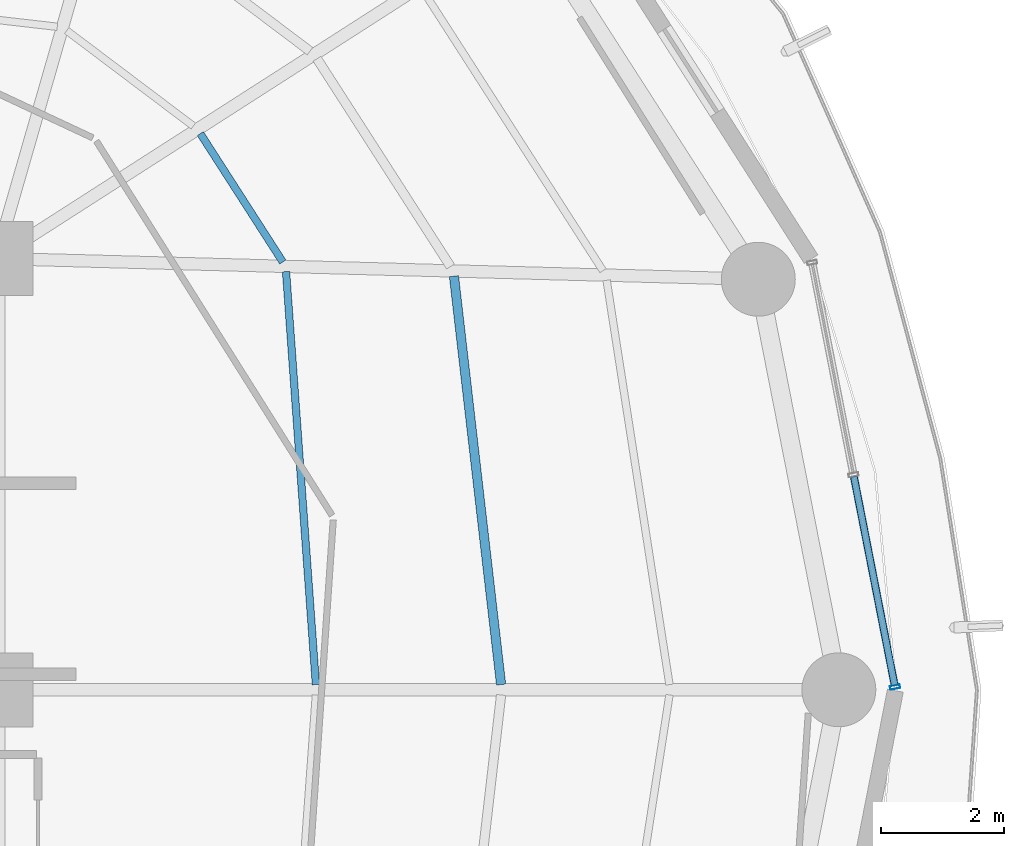
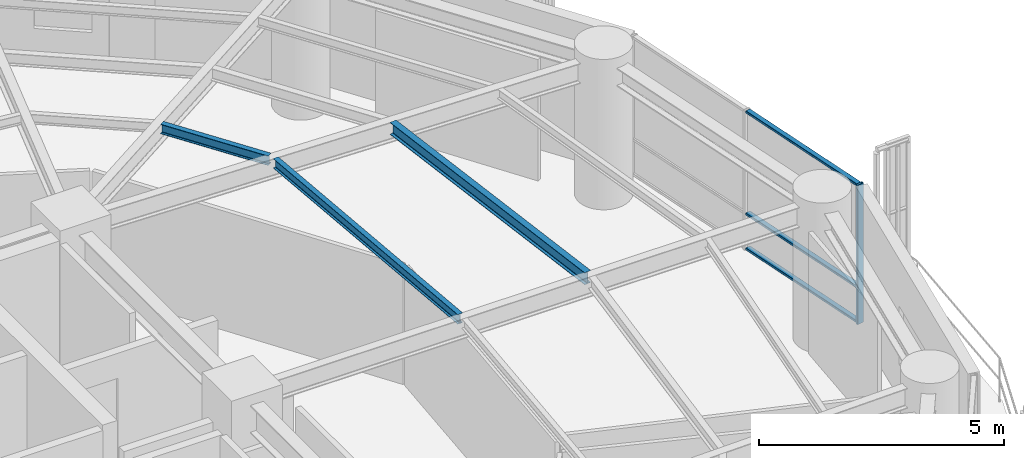
# One storey, part 13 of 28: 4 members, 3 beams, 1 element without a shape of its own.
"""IFC4 building model written with IfcOpenShell, lengths in metres."""

from ifc_helpers import new_model, si_unit, direction, frame, origin, origin_2d, place, context, subcontext, project, spatial, hollow_rectangle, i_section, extrude, material, layer, layer_set, material_profile, profile_set, type_object, element, aggregate, save


model = new_model("IFC4")

# Units and contexts
model_context = context("Model", 3, precision=1e-05, world=origin(), true_north=direction((0.0, 1.0)))
body_context = subcontext(model_context, "Body", "Model", "MODEL_VIEW")
ifc_project = project(units=[si_unit("LENGTHUNIT", "METRE"), si_unit("AREAUNIT", "SQUARE_METRE"), si_unit("VOLUMEUNIT", "CUBIC_METRE"), si_unit("PLANEANGLEUNIT", "RADIAN"), si_unit("MASSUNIT", "GRAM", prefix="KILO")], contexts=[model_context])

# Site, building, storey
site_placement = place(None, origin())
site = spatial("IfcSite", under=ifc_project, at=site_placement, CompositionType="ELEMENT")
building_placement = place(site_placement, origin())
building = spatial("IfcBuilding", under=site, at=building_placement, Name="Kelanora Arch Commons", CompositionType="ELEMENT")
storey_placement = place(building_placement, frame((0.0, 0.0, 180.60009765625)))
storey = spatial("IfcBuildingStorey", under=building, at=storey_placement, Name="L46", CompositionType="ELEMENT", Elevation=180.60009765625)

# Beams
ifc_material_1 = material(Name="Steel S355", Category="steel")
ifc_material_profile_1 = material_profile(ifc_material_1, i_section(OverallWidth=0.14990234375, OverallDepth=0.300048828125, WebThickness=0.007080078125, FlangeThickness=0.0107421875, FilletRadius=0.014892578125, at=origin_2d()), Name="IPE300")
ifc_profile_set_1 = profile_set([ifc_material_profile_1], Name="Steel S355")
beam_type_1 = type_object("IfcBeamType", Name="BM-JST-01", PredefinedType="JOIST", material=ifc_profile_set_1)
beam_1_placement = place(storey_placement, frame((90.1982421875, 58.08447265625, 3.33984375), z_axis=(-0.114667159005, 0.9934039675, 0.0), x_axis=(-0.9934039675, -0.114667159005, 0.0)))
element("IfcBeam", 1, at=beam_1_placement, inside=storey, type_object=beam_type_1, Name="Secondary Chord Joist BJB-00 L46", PredefinedType="JOIST", context=body_context, shape_type="SweptSolid", body=[
    extrude(i_section(OverallWidth=0.14990234375, OverallDepth=0.300048828125, WebThickness=0.007080078125, FlangeThickness=0.0107421875, FilletRadius=0.014892578125, at=origin_2d()), origin(), (0.0, 0.0, 1.0), 6.672607421875),
])
ifc_material_profile_2 = material_profile(ifc_material_1, i_section(OverallWidth=0.1201171875, OverallDepth=0.239990234375, WebThickness=0.006103515625, FlangeThickness=0.009765625, FilletRadius=0.014892578125, at=origin_2d()), Name="IPE240")
ifc_profile_set_2 = profile_set([ifc_material_profile_2], Name="Steel S355")
beam_type_2 = type_object("IfcBeamType", Name="BM-JST-02", PredefinedType="JOIST", material=ifc_profile_set_2)
beam_2_placement = place(storey_placement, frame((87.1923828125, 58.084716796875, 3.369873046875), z_axis=(-0.072117123738, 0.997396170267, 0.0), x_axis=(-0.997396170267, -0.072117123738, 0.0)))
element("IfcBeam", 2, at=beam_2_placement, inside=storey, type_object=beam_type_2, Name="Secondary Chord Joist BJA-00 L46", PredefinedType="JOIST", context=body_context, shape_type="SweptSolid", body=[
    extrude(i_section(OverallWidth=0.1201171875, OverallDepth=0.239990234375, WebThickness=0.006103515625, FlangeThickness=0.009765625, FilletRadius=0.014892578125, at=origin_2d()), origin(), (0.0, 0.0, 1.0), 6.719970703125),
])
beam_3_placement = place(storey_placement, frame((86.655517578125, 64.943359375, 3.369873046875), z_axis=(-0.540583174025, 0.841290575224, 0.0), x_axis=(-0.841290575224, -0.540583174025, 0.0)))
element("IfcBeam", 3, at=beam_3_placement, inside=storey, type_object=beam_type_2, Name="Secondary Chord Joist BJA-02 L46", PredefinedType="JOIST", context=body_context, shape_type="SweptSolid", body=[
    extrude(i_section(OverallWidth=0.1201171875, OverallDepth=0.239990234375, WebThickness=0.006103515625, FlangeThickness=0.009765625, FilletRadius=0.014892578125, at=origin_2d()), origin(), (0.0, 0.0, 1.0), 2.476318359375),
])

# Curtain wall, members
ifc_material_2 = material(Name="Terracotta ceramic-fritted low-E glass and aluminium", Category="masonry")
ifc_layer = layer(ifc_material_2, 0.175048828125)
ifc_layer_set = layer_set([ifc_layer], Name="Terracotta ceramic-fritted low-E glass and aluminium")
curtain_wall_type = type_object("IfcCurtainWallType", Name="CW-SYS-02", PredefinedType="NOTDEFINED", material=ifc_layer_set)
curtain_wall_placement = place(storey_placement, origin())
curtain_wall = element("IfcCurtainWall", 4, at=curtain_wall_placement, inside=storey, type_object=curtain_wall_type, Name="Unitised Curtain Wall L46-B00", PredefinedType="NOTDEFINED")
ifc_material_3 = material(Name="Powder-coated aluminium terracotta", Category="masonry")
ifc_material_profile_3 = material_profile(ifc_material_3, hollow_rectangle(XDim=0.159912109375, YDim=0.06005859375, WallThickness=0.0048828125, InnerFilletRadius=0.0048828125, OuterFilletRadius=0.010009765625, at=origin_2d()), Name="CWM160x60")
ifc_profile_set_3 = profile_set([ifc_material_profile_3], Name="Powder-coated aluminium terracotta")
member_type_1 = type_object("IfcMemberType", Name="CWM-STD", PredefinedType="MULLION", material=ifc_profile_set_3)
member_1_placement = place(storey_placement, frame((96.59130859375, 58.044189453125, 0.0), z_axis=(0.0, 0.0, 1.0), x_axis=(-0.981452557718, -0.191705182375, 0.0)))
member_1 = element("IfcMember", 5, at=member_1_placement, type_object=member_type_1, Name="CW-02 mullion 1", PredefinedType="MULLION", context=body_context, shape_type="SweptSolid", body=[
    extrude(hollow_rectangle(XDim=0.159912109375, YDim=0.06005859375, WallThickness=0.0048828125, InnerFilletRadius=0.0048828125, OuterFilletRadius=0.010009765625, at=origin_2d()), origin(), (0.0, 0.0, 1.0), 3.474853515625),
])
ifc_material_profile_4 = material_profile(ifc_material_3, hollow_rectangle(XDim=0.1201171875, YDim=0.06005859375, WallThickness=0.0048828125, InnerFilletRadius=0.0048828125, OuterFilletRadius=0.010009765625, at=origin_2d()), Name="CWT120x60")
ifc_profile_set_4 = profile_set([ifc_material_profile_4], Name="Powder-coated aluminium terracotta")
member_type_2 = type_object("IfcMemberType", Name="CWT-STD", PredefinedType="USERDEFINED", material=ifc_profile_set_4)
member_2_placement = place(storey_placement, frame((96.585693359375, 58.073486328125, 0.02978515625), z_axis=(-0.191718206447, 0.981450013662, 0.0), x_axis=(-0.981450013662, -0.191718206447, 0.0)))
member_2 = element("IfcMember", 6, at=member_2_placement, type_object=member_type_2, Name="CW-02 transom 1.1", ObjectType="TRANSOM", PredefinedType="USERDEFINED", context=body_context, shape_type="SweptSolid", body=[
    extrude(hollow_rectangle(XDim=0.1201171875, YDim=0.06005859375, WallThickness=0.0048828125, InnerFilletRadius=0.0048828125, OuterFilletRadius=0.010009765625, at=origin_2d()), origin(), (0.0, 0.0, 1.0), 3.44970703125),
])
member_3_placement = place(storey_placement, frame((96.585693359375, 58.073486328125, 0.89990234375), z_axis=(-0.191718206447, 0.981450013662, 0.0), x_axis=(-0.981450013662, -0.191718206447, 0.0)))
member_3 = element("IfcMember", 7, at=member_3_placement, type_object=member_type_2, Name="CW-02 transom 1.2", ObjectType="TRANSOM", PredefinedType="USERDEFINED", context=body_context, shape_type="SweptSolid", body=[
    extrude(hollow_rectangle(XDim=0.1201171875, YDim=0.06005859375, WallThickness=0.0048828125, InnerFilletRadius=0.0048828125, OuterFilletRadius=0.010009765625, at=origin_2d()), origin(), (0.0, 0.0, 1.0), 3.44970703125),
])
member_4_placement = place(storey_placement, frame((96.585693359375, 58.073486328125, 3.44482421875), z_axis=(-0.191718206447, 0.981450013662, 0.0), x_axis=(-0.981450013662, -0.191718206447, 0.0)))
member_4 = element("IfcMember", 8, at=member_4_placement, type_object=member_type_2, Name="CW-02 transom 1.3", ObjectType="TRANSOM", PredefinedType="USERDEFINED", context=body_context, shape_type="SweptSolid", body=[
    extrude(hollow_rectangle(XDim=0.1201171875, YDim=0.06005859375, WallThickness=0.0048828125, InnerFilletRadius=0.0048828125, OuterFilletRadius=0.010009765625, at=origin_2d()), origin(), (0.0, 0.0, 1.0), 3.44970703125),
])
aggregate(curtain_wall, [member_1, member_2, member_3, member_4])

save(model, "model.ifc")
